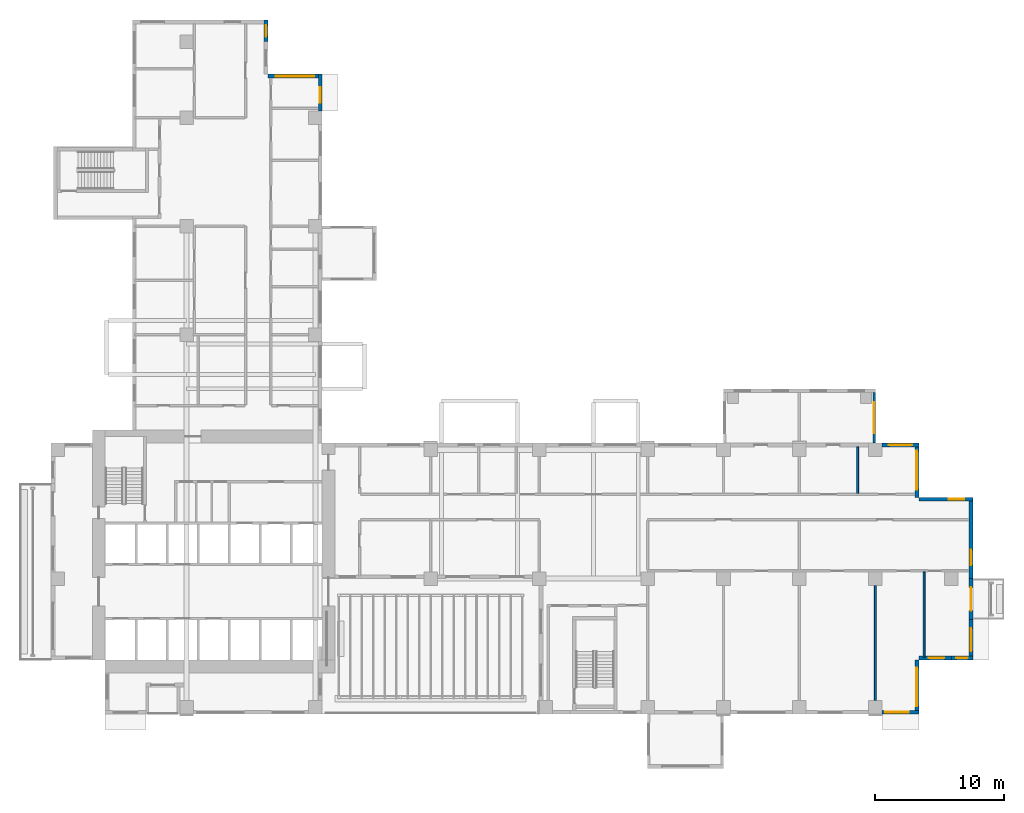
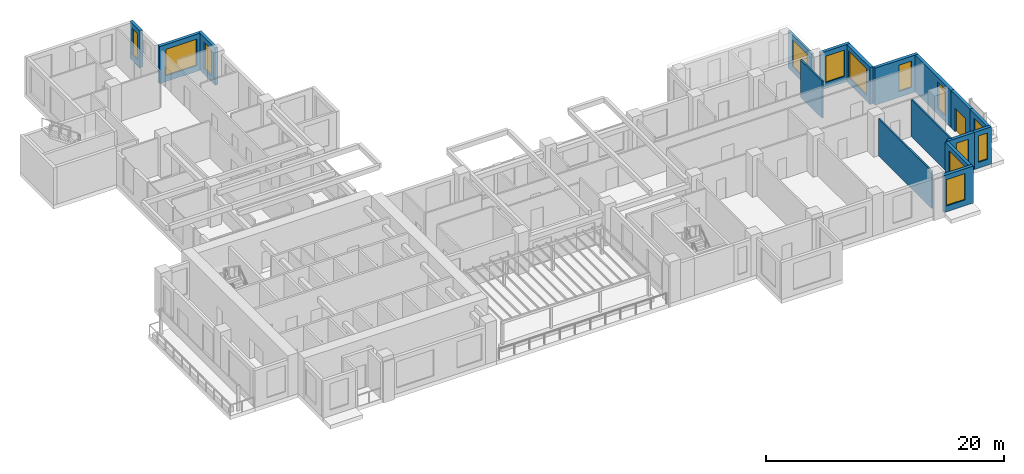
# One storey, part 9 of 15: 17 walls, 13 windows, 1 door, 14 openings.
"""IFC4 building model written with IfcOpenShell, lengths in metres."""

from ifc_helpers import new_model, si_unit, direction, frame, frame_2d, origin, place, context, subcontext, project, spatial, rectangle, extrude, source, transform, mapped, material, layer, layer_set, type_object, element, fill, save


model = new_model("IFC4")

# Units and contexts
model_context = context("Model", 3, precision=1e-05, world=origin(), true_north=direction((0.0, 1.0)))
body_context = subcontext(model_context, "Body", "Model", "MODEL_VIEW")
ifc_project = project(units=[si_unit("LENGTHUNIT", "METRE"), si_unit("AREAUNIT", "SQUARE_METRE"), si_unit("VOLUMEUNIT", "CUBIC_METRE"), si_unit("PLANEANGLEUNIT", "RADIAN"), si_unit("MASSUNIT", "GRAM", prefix="KILO")], contexts=[model_context])

# Site, building, storey
site_placement = place(None, origin())
site = spatial("IfcSite", under=ifc_project, at=site_placement, CompositionType="ELEMENT")
building_placement = place(site_placement, origin())
building = spatial("IfcBuilding", under=site, at=building_placement, Name="Aurelian Terraces", CompositionType="ELEMENT")
storey_placement = place(building_placement, frame((0.0, 0.0, 145.5)))
storey = spatial("IfcBuildingStorey", under=building, at=storey_placement, Name="L32", CompositionType="ELEMENT", Elevation=145.5)

# Wall, opening, window
ifc_material_1 = material(Name="Terracotta rainscreen cladding", Category="masonry")
ifc_layer_1 = layer(ifc_material_1, 0.3)
ifc_layer_set_1 = layer_set([ifc_layer_1], Name="EW-300")
wall_type_1 = type_object("IfcWallType", Name="EW-300", PredefinedType="STANDARD", material=ifc_layer_set_1)
shared_shape_1 = source(origin(), body_context, "Body", "SweptSolid", [
    extrude(rectangle(XDim=3.15, YDim=0.3, at=frame_2d((1.575, 0.0))), origin(), (0.0, 0.0, 1.0), 3.8),
])
wall_1_placement = place(storey_placement, frame((71.25, 4.2, 0.0), z_axis=(0.0, 0.0, 1.0), x_axis=(0.0, 1.0, 0.0)))
wall_1 = element("IfcWall", 1, at=wall_1_placement, inside=storey, type_object=wall_type_1, Name="External wall L32 F08.17", PredefinedType="STANDARD", context=body_context, shape_type="MappedRepresentation", body=[
    mapped(shared_shape_1, transform((0.0, 0.0, 0.0), scale=1.0)),
])
shared_shape_2 = source(origin(), body_context, "Body", "SweptSolid", [
    extrude(rectangle(XDim=1.8, YDim=2.7, at=frame_2d((0.9, 1.35))), frame((0.0, 0.16, 0.0), z_axis=(0.0, -1.0, 0.0), x_axis=(1.0, 0.0, 0.0)), (0.0, 0.0, 1.0), 0.32),
])
opening_1_placement = place(wall_1_placement, frame((0.675, 0.0, 0.6)))
opening_1 = element("IfcOpeningElement", 2, at=opening_1_placement, cuts=wall_1, Name="Opening W1827", PredefinedType="OPENING", context=body_context, shape_type="MappedRepresentation", body=[
    mapped(shared_shape_2, transform((0.0, 0.0, 0.0), scale=1.0)),
])
ifc_material_2 = material(Name="Clear glazing", Category="glass")
window_type_1 = type_object("IfcWindowType", Name="W-1800x2700", PartitioningType="SINGLE_PANEL", PredefinedType="WINDOW", material=ifc_material_2)
shared_shape_3 = source(origin(), body_context, "Body", "SweptSolid", [
    extrude(rectangle(XDim=1.8, YDim=2.7, at=frame_2d((0.9, 1.35))), frame((0.0, 0.03, 0.0), z_axis=(0.0, -1.0, 0.0), x_axis=(1.0, 0.0, 0.0)), (0.0, 0.0, 1.0), 0.06),
])
window_1_placement = place(opening_1_placement, origin())
window_1 = element("IfcWindow", 3, at=window_1_placement, inside=storey, type_object=window_type_1, Name="Window L32 L32-F08-17-0", OverallHeight=2.7, OverallWidth=1.8, PartitioningType="SINGLE_PANEL", PredefinedType="WINDOW", context=body_context, shape_type="MappedRepresentation", body=[
    mapped(shared_shape_3, transform((0.0, 0.0, 0.0), scale=1.0)),
])
fill(opening_1, window_1)

# Wall, opening, door
wall_2_placement = place(storey_placement, frame((71.25, 7.35, 0.0), z_axis=(0.0, 0.0, 1.0), x_axis=(0.0, 1.0, 0.0)))
wall_2 = element("IfcWall", 4, at=wall_2_placement, inside=storey, type_object=wall_type_1, Name="External wall L32 F08.18", PredefinedType="STANDARD", context=body_context, shape_type="MappedRepresentation", body=[
    mapped(shared_shape_1, transform((0.0, 0.0, 0.0), scale=1.0)),
])
shared_shape_4 = source(origin(), body_context, "Body", "SweptSolid", [
    extrude(rectangle(XDim=1.8, YDim=2.4, at=frame_2d((0.9, 1.2))), frame((0.0, 0.16, 0.0), z_axis=(0.0, -1.0, 0.0), x_axis=(1.0, 0.0, 0.0)), (0.0, 0.0, 1.0), 0.32),
])
opening_2_placement = place(wall_2_placement, frame((0.675, 0.0, 0.0)))
opening_2 = element("IfcOpeningElement", 5, at=opening_2_placement, cuts=wall_2, Name="Opening 83205", PredefinedType="OPENING", context=body_context, shape_type="MappedRepresentation", body=[
    mapped(shared_shape_4, transform((0.0, 0.0, 0.0), scale=1.0)),
])
door_type = type_object("IfcDoorType", Name="BD-1800x2400", OperationType="SLIDING_TO_LEFT", PredefinedType="DOOR", material=ifc_material_2)
shared_shape_5 = source(origin(), body_context, "Body", "SweptSolid", [
    extrude(rectangle(XDim=1.8, YDim=2.4, at=frame_2d((0.9, 1.2))), frame((0.0, 0.025, 0.0), z_axis=(0.0, -1.0, 0.0), x_axis=(1.0, 0.0, 0.0)), (0.0, 0.0, 1.0), 0.05),
])
door_placement = place(opening_2_placement, origin())
door = element("IfcDoor", 6, at=door_placement, inside=storey, type_object=door_type, Name="Balcony door L32 F08.18", OperationType="SLIDING_TO_LEFT", OverallHeight=2.4, OverallWidth=1.8, PredefinedType="DOOR", context=body_context, shape_type="MappedRepresentation", body=[
    mapped(shared_shape_5, transform((0.0, 0.0, 0.0), scale=1.0)),
])
fill(opening_2, door)

# Wall, opening, window
shared_shape_6 = source(origin(), body_context, "Body", "SweptSolid", [
    extrude(rectangle(XDim=4.2, YDim=0.3, at=frame_2d((2.1, 0.0))), origin(), (0.0, 0.0, 1.0), 3.8),
])
wall_3_placement = place(storey_placement, frame((67.05, 0.0, 0.0), z_axis=(0.0, 0.0, 1.0), x_axis=(0.0, 1.0, 0.0)))
wall_3 = element("IfcWall", 7, at=wall_3_placement, inside=storey, type_object=wall_type_1, Name="External wall L32 F06.14", PredefinedType="STANDARD", context=body_context, shape_type="MappedRepresentation", body=[
    mapped(shared_shape_6, transform((0.0, 0.0, 0.0), scale=1.0)),
])
shared_shape_7 = source(origin(), body_context, "Body", "SweptSolid", [
    extrude(rectangle(XDim=3.0, YDim=2.7, at=frame_2d((1.5, 1.35))), frame((0.0, 0.16, 0.0), z_axis=(0.0, -1.0, 0.0), x_axis=(1.0, 0.0, 0.0)), (0.0, 0.0, 1.0), 0.32),
])
opening_3_placement = place(wall_3_placement, frame((0.6, 0.0, 0.6)))
opening_3 = element("IfcOpeningElement", 8, at=opening_3_placement, cuts=wall_3, Name="Opening W3027", PredefinedType="OPENING", context=body_context, shape_type="MappedRepresentation", body=[
    mapped(shared_shape_7, transform((0.0, 0.0, 0.0), scale=1.0)),
])
window_type_2 = type_object("IfcWindowType", Name="W-3000x2700", PartitioningType="SINGLE_PANEL", PredefinedType="WINDOW", material=ifc_material_2)
shared_shape_8 = source(origin(), body_context, "Body", "SweptSolid", [
    extrude(rectangle(XDim=3.0, YDim=2.7, at=frame_2d((1.5, 1.35))), frame((0.0, 0.03, 0.0), z_axis=(0.0, -1.0, 0.0), x_axis=(1.0, 0.0, 0.0)), (0.0, 0.0, 1.0), 0.06),
])
window_2_placement = place(opening_3_placement, origin())
window_2 = element("IfcWindow", 9, at=window_2_placement, inside=storey, type_object=window_type_2, Name="Window L32 L32-F06-14-0", OverallHeight=2.7, OverallWidth=3.0, PartitioningType="SINGLE_PANEL", PredefinedType="WINDOW", context=body_context, shape_type="MappedRepresentation", body=[
    mapped(shared_shape_8, transform((0.0, 0.0, 0.0), scale=1.0)),
])
fill(opening_3, window_2)

wall_4_placement = place(storey_placement, frame((71.4, 16.65, 0.0), z_axis=(0.0, 0.0, 1.0), x_axis=(-1.0, 0.0, 0.0)))
wall_4 = element("IfcWall", 10, at=wall_4_placement, inside=storey, type_object=wall_type_1, Name="External wall L32 F09.20", PredefinedType="STANDARD", context=body_context, shape_type="MappedRepresentation", body=[
    mapped(shared_shape_6, transform((0.0, 0.0, 0.0), scale=1.0)),
])
shared_shape_9 = source(origin(), body_context, "Body", "SweptSolid", [
    extrude(rectangle(XDim=1.2, YDim=2.7, at=frame_2d((0.6, 1.35))), frame((0.0, 0.16, 0.0), z_axis=(0.0, -1.0, 0.0), x_axis=(1.0, 0.0, 0.0)), (0.0, 0.0, 1.0), 0.32),
])
opening_4_placement = place(wall_4_placement, frame((0.66, 0.0, 0.6)))
opening_4 = element("IfcOpeningElement", 11, at=opening_4_placement, cuts=wall_4, Name="Opening W1227", PredefinedType="OPENING", context=body_context, shape_type="MappedRepresentation", body=[
    mapped(shared_shape_9, transform((0.0, 0.0, 0.0), scale=1.0)),
])
window_type_3 = type_object("IfcWindowType", Name="W-1200x2700", PartitioningType="SINGLE_PANEL", PredefinedType="WINDOW", material=ifc_material_2)
shared_shape_10 = source(origin(), body_context, "Body", "SweptSolid", [
    extrude(rectangle(XDim=1.2, YDim=2.7, at=frame_2d((0.6, 1.35))), frame((0.0, 0.03, 0.0), z_axis=(0.0, -1.0, 0.0), x_axis=(1.0, 0.0, 0.0)), (0.0, 0.0, 1.0), 0.06),
])
window_3_placement = place(opening_4_placement, origin())
window_3 = element("IfcWindow", 12, at=window_3_placement, inside=storey, type_object=window_type_3, Name="Window L32 L32-F09-20-0", OverallHeight=2.7, OverallWidth=1.2, PartitioningType="SINGLE_PANEL", PredefinedType="WINDOW", context=body_context, shape_type="MappedRepresentation", body=[
    mapped(shared_shape_10, transform((0.0, 0.0, 0.0), scale=1.0)),
])
fill(opening_4, window_3)

wall_5_placement = place(storey_placement, frame((67.05, 16.8, 0.0), z_axis=(0.0, 0.0, 1.0), x_axis=(0.0, 1.0, 0.0)))
wall_5 = element("IfcWall", 13, at=wall_5_placement, inside=storey, type_object=wall_type_1, Name="External wall L32 F10.21", PredefinedType="STANDARD", context=body_context, shape_type="MappedRepresentation", body=[
    mapped(shared_shape_6, transform((0.0, 0.0, 0.0), scale=1.0)),
])
opening_5_placement = place(wall_5_placement, frame((0.6, 0.0, 0.6)))
opening_5 = element("IfcOpeningElement", 14, at=opening_5_placement, cuts=wall_5, Name="Opening W3027", PredefinedType="OPENING", context=body_context, shape_type="MappedRepresentation", body=[
    mapped(shared_shape_7, transform((0.0, 0.0, 0.0), scale=1.0)),
])
window_4_placement = place(opening_5_placement, origin())
window_4 = element("IfcWindow", 15, at=window_4_placement, inside=storey, type_object=window_type_2, Name="Window L32 L32-F10-21-0", OverallHeight=2.7, OverallWidth=3.0, PartitioningType="SINGLE_PANEL", PredefinedType="WINDOW", context=body_context, shape_type="MappedRepresentation", body=[
    mapped(shared_shape_8, transform((0.0, 0.0, 0.0), scale=1.0)),
])
fill(opening_5, window_4)

wall_6_placement = place(storey_placement, frame((21.0, 49.41, 0.0), z_axis=(0.0, 0.0, 1.0), x_axis=(-1.0, 0.0, 0.0)))
wall_6 = element("IfcWall", 16, at=wall_6_placement, inside=storey, type_object=wall_type_1, Name="External wall L32 F13.28", PredefinedType="STANDARD", context=body_context, shape_type="MappedRepresentation", body=[
    mapped(shared_shape_6, transform((0.0, 0.0, 0.0), scale=1.0)),
])
opening_6_placement = place(wall_6_placement, frame((0.6, 0.0, 0.6)))
opening_6 = element("IfcOpeningElement", 17, at=opening_6_placement, cuts=wall_6, Name="Opening W3027", PredefinedType="OPENING", context=body_context, shape_type="MappedRepresentation", body=[
    mapped(shared_shape_7, transform((0.0, 0.0, 0.0), scale=1.0)),
])
window_5_placement = place(opening_6_placement, origin())
window_5 = element("IfcWindow", 18, at=window_5_placement, inside=storey, type_object=window_type_2, Name="Window L32 L32-F13-28-0", OverallHeight=2.7, OverallWidth=3.0, PartitioningType="SINGLE_PANEL", PredefinedType="WINDOW", context=body_context, shape_type="MappedRepresentation", body=[
    mapped(shared_shape_8, transform((0.0, 0.0, 0.0), scale=1.0)),
])
fill(opening_6, window_5)

shared_shape_11 = source(origin(), body_context, "Body", "SweptSolid", [
    extrude(rectangle(XDim=2.52, YDim=0.3, at=frame_2d((1.26, 0.0))), origin(), (0.0, 0.0, 1.0), 3.8),
])
wall_7_placement = place(storey_placement, frame((67.2, 4.35, 0.0), z_axis=(0.0, 0.0, 1.0), x_axis=(1.0, 0.0, 0.0)))
wall_7 = element("IfcWall", 19, at=wall_7_placement, inside=storey, type_object=wall_type_1, Name="External wall L32 F07.15", PredefinedType="STANDARD", context=body_context, shape_type="MappedRepresentation", body=[
    mapped(shared_shape_11, transform((0.0, 0.0, 0.0), scale=1.0)),
])
opening_7_placement = place(wall_7_placement, frame((0.7775, 0.0, 0.6)))
opening_7 = element("IfcOpeningElement", 20, at=opening_7_placement, cuts=wall_7, Name="Opening W1227", PredefinedType="OPENING", context=body_context, shape_type="MappedRepresentation", body=[
    mapped(shared_shape_9, transform((0.0, 0.0, 0.0), scale=1.0)),
])
window_6_placement = place(opening_7_placement, origin())
window_6 = element("IfcWindow", 21, at=window_6_placement, inside=storey, type_object=window_type_3, Name="Window L32 L32-F07-15-P0", OverallHeight=2.7, OverallWidth=1.2, PartitioningType="SINGLE_PANEL", PredefinedType="WINDOW", context=body_context, shape_type="MappedRepresentation", body=[
    mapped(shared_shape_10, transform((0.0, 0.0, 0.0), scale=1.0)),
])
fill(opening_7, window_6)

shared_shape_12 = source(origin(), body_context, "Body", "SweptSolid", [
    extrude(rectangle(XDim=1.68, YDim=0.3, at=frame_2d((0.84, 0.0))), origin(), (0.0, 0.0, 1.0), 3.8),
])
wall_8_placement = place(storey_placement, frame((69.72, 4.35, 0.0), z_axis=(0.0, 0.0, 1.0), x_axis=(1.0, 0.0, 0.0)))
wall_8 = element("IfcWall", 22, at=wall_8_placement, inside=storey, type_object=wall_type_1, Name="External wall L32 F07.16", PredefinedType="STANDARD", context=body_context, shape_type="MappedRepresentation", body=[
    mapped(shared_shape_12, transform((0.0, 0.0, 0.0), scale=1.0)),
])
shared_shape_13 = source(origin(), body_context, "Body", "SweptSolid", [
    extrude(rectangle(XDim=0.9, YDim=2.7, at=frame_2d((0.45, 1.35))), frame((0.0, 0.16, 0.0), z_axis=(0.0, -1.0, 0.0), x_axis=(1.0, 0.0, 0.0)), (0.0, 0.0, 1.0), 0.32),
])
opening_8_placement = place(wall_8_placement, frame((0.39, 0.0, 0.6)))
opening_8 = element("IfcOpeningElement", 23, at=opening_8_placement, cuts=wall_8, Name="Opening W0927", PredefinedType="OPENING", context=body_context, shape_type="MappedRepresentation", body=[
    mapped(shared_shape_13, transform((0.0, 0.0, 0.0), scale=1.0)),
])
window_type_4 = type_object("IfcWindowType", Name="W-900x2700", PartitioningType="SINGLE_PANEL", PredefinedType="WINDOW", material=ifc_material_2)
shared_shape_14 = source(origin(), body_context, "Body", "SweptSolid", [
    extrude(rectangle(XDim=0.9, YDim=2.7, at=frame_2d((0.45, 1.35))), frame((0.0, 0.03, 0.0), z_axis=(0.0, -1.0, 0.0), x_axis=(1.0, 0.0, 0.0)), (0.0, 0.0, 1.0), 0.06),
])
window_7_placement = place(opening_8_placement, origin())
window_7 = element("IfcWindow", 24, at=window_7_placement, inside=storey, type_object=window_type_4, Name="Window L32 L32-F07-16-P0", OverallHeight=2.7, OverallWidth=0.9, PartitioningType="SINGLE_PANEL", PredefinedType="WINDOW", context=body_context, shape_type="MappedRepresentation", body=[
    mapped(shared_shape_14, transform((0.0, 0.0, 0.0), scale=1.0)),
])
fill(opening_8, window_7)

wall_9_placement = place(storey_placement, frame((16.65, 52.08, 0.0), z_axis=(0.0, 0.0, 1.0), x_axis=(0.0, 1.0, 0.0)))
wall_9 = element("IfcWall", 25, at=wall_9_placement, inside=storey, type_object=wall_type_1, Name="External wall L32 F14.30", PredefinedType="STANDARD", context=body_context, shape_type="MappedRepresentation", body=[
    mapped(shared_shape_12, transform((0.0, 0.0, 0.0), scale=1.0)),
])
opening_9_placement = place(wall_9_placement, frame((0.39, 0.0, 0.6)))
opening_9 = element("IfcOpeningElement", 26, at=opening_9_placement, cuts=wall_9, Name="Opening W0927", PredefinedType="OPENING", context=body_context, shape_type="MappedRepresentation", body=[
    mapped(shared_shape_13, transform((0.0, 0.0, 0.0), scale=1.0)),
])
window_8_placement = place(opening_9_placement, origin())
window_8 = element("IfcWindow", 27, at=window_8_placement, inside=storey, type_object=window_type_4, Name="Window L32 L32-F14-30-P0", OverallHeight=2.7, OverallWidth=0.9, PartitioningType="SINGLE_PANEL", PredefinedType="WINDOW", context=body_context, shape_type="MappedRepresentation", body=[
    mapped(shared_shape_14, transform((0.0, 0.0, 0.0), scale=1.0)),
])
fill(opening_9, window_8)

shared_shape_15 = source(origin(), body_context, "Body", "SweptSolid", [
    extrude(rectangle(XDim=6.3, YDim=0.3, at=frame_2d((3.15, 0.0))), origin(), (0.0, 0.0, 1.0), 3.8),
])
wall_10_placement = place(storey_placement, frame((71.25, 10.5, 0.0), z_axis=(0.0, 0.0, 1.0), x_axis=(0.0, 1.0, 0.0)))
wall_10 = element("IfcWall", 28, at=wall_10_placement, inside=storey, type_object=wall_type_1, Name="External wall L32 F08.19", PredefinedType="STANDARD", context=body_context, shape_type="MappedRepresentation", body=[
    mapped(shared_shape_15, transform((0.0, 0.0, 0.0), scale=1.0)),
])
opening_10_placement = place(wall_10_placement, frame((1.025, 0.0, 0.6)))
opening_10 = element("IfcOpeningElement", 29, at=opening_10_placement, cuts=wall_10, Name="Opening W1227", PredefinedType="OPENING", context=body_context, shape_type="MappedRepresentation", body=[
    mapped(shared_shape_9, transform((0.0, 0.0, 0.0), scale=1.0)),
])
window_9_placement = place(opening_10_placement, origin())
window_9 = element("IfcWindow", 30, at=window_9_placement, inside=storey, type_object=window_type_3, Name="Window L32 L32-F08-19-0", OverallHeight=2.7, OverallWidth=1.2, PartitioningType="SINGLE_PANEL", PredefinedType="WINDOW", context=body_context, shape_type="MappedRepresentation", body=[
    mapped(shared_shape_10, transform((0.0, 0.0, 0.0), scale=1.0)),
])
fill(opening_10, window_9)

ifc_material_3 = material(Name="Concrete fc' 40 MPa", Category="concrete")
ifc_layer_2 = layer(ifc_material_3, 0.2)
ifc_layer_set_2 = layer_set([ifc_layer_2], Name="BOX BEARING WALL 200")
wall_type_2 = type_object("IfcWallType", Name="BOX BEARING WALL 200", PredefinedType="SOLIDWALL", material=ifc_layer_set_2)
shared_shape_16 = source(origin(), body_context, "Body", "SweptSolid", [
    extrude(rectangle(XDim=3.9, YDim=0.2, at=frame_2d((1.95, 0.0))), origin(), (0.0, 0.0, 1.0), 3.8),
])
wall_11_placement = place(storey_placement, frame((63.74, 21.0, 0.0), z_axis=(0.0, 0.0, 1.0), x_axis=(0.0, 1.0, 0.0)))
wall_11 = element("IfcWall", 31, at=wall_11_placement, inside=storey, type_object=wall_type_2, Name="Box return L32 K02.1", PredefinedType="SOLIDWALL", context=body_context, shape_type="MappedRepresentation", body=[
    mapped(shared_shape_16, transform((0.0, 0.0, 0.0), scale=1.0)),
])
shared_shape_17 = source(origin(), body_context, "Body", "SweptSolid", [
    extrude(rectangle(XDim=2.4, YDim=2.7, at=frame_2d((1.2, 1.35))), frame((0.0, 0.11, 0.0), z_axis=(0.0, -1.0, 0.0), x_axis=(1.0, 0.0, 0.0)), (0.0, 0.0, 1.0), 0.22),
])
opening_11_placement = place(wall_11_placement, frame((0.75, 0.0, 0.6)))
opening_11 = element("IfcOpeningElement", 32, at=opening_11_placement, cuts=wall_11, Name="Opening W2427", PredefinedType="OPENING", context=body_context, shape_type="MappedRepresentation", body=[
    mapped(shared_shape_17, transform((0.0, 0.0, 0.0), scale=1.0)),
])
window_type_5 = type_object("IfcWindowType", Name="W-2400x2700", PartitioningType="SINGLE_PANEL", PredefinedType="WINDOW", material=ifc_material_2)
shared_shape_18 = source(origin(), body_context, "Body", "SweptSolid", [
    extrude(rectangle(XDim=2.4, YDim=2.7, at=frame_2d((1.2, 1.35))), frame((0.0, 0.03, 0.0), z_axis=(0.0, -1.0, 0.0), x_axis=(1.0, 0.0, 0.0)), (0.0, 0.0, 1.0), 0.06),
])
window_10_placement = place(opening_11_placement, origin())
window_10 = element("IfcWindow", 33, at=window_10_placement, inside=storey, type_object=window_type_5, Name="Window L32 K02-S1", OverallHeight=2.7, OverallWidth=2.4, PartitioningType="SINGLE_PANEL", PredefinedType="WINDOW", context=body_context, shape_type="MappedRepresentation", body=[
    mapped(shared_shape_18, transform((0.0, 0.0, 0.0), scale=1.0)),
])
fill(opening_11, window_10)

shared_shape_19 = source(origin(), body_context, "Body", "SweptSolid", [
    extrude(rectangle(XDim=2.835, YDim=0.3, at=frame_2d((1.4175, 0.0))), origin(), (0.0, 0.0, 1.0), 3.8),
])
wall_12_placement = place(storey_placement, frame((64.365, 0.15, 0.0), z_axis=(0.0, 0.0, 1.0), x_axis=(1.0, 0.0, 0.0)))
wall_12 = element("IfcWall", 34, at=wall_12_placement, inside=storey, type_object=wall_type_1, Name="External wall L32 F05.13", PredefinedType="STANDARD", context=body_context, shape_type="MappedRepresentation", body=[
    mapped(shared_shape_19, transform((0.0, 0.0, 0.0), scale=1.0)),
])
opening_12_placement = place(wall_12_placement, frame((0.255, 0.0, 0.6)))
opening_12 = element("IfcOpeningElement", 35, at=opening_12_placement, cuts=wall_12, Name="Opening W1827", PredefinedType="OPENING", context=body_context, shape_type="MappedRepresentation", body=[
    mapped(shared_shape_2, transform((0.0, 0.0, 0.0), scale=1.0)),
])
window_11_placement = place(opening_12_placement, origin())
window_11 = element("IfcWindow", 36, at=window_11_placement, inside=storey, type_object=window_type_1, Name="Window L32 L32-F05-13-0", OverallHeight=2.7, OverallWidth=1.8, PartitioningType="SINGLE_PANEL", PredefinedType="WINDOW", context=body_context, shape_type="MappedRepresentation", body=[
    mapped(shared_shape_3, transform((0.0, 0.0, 0.0), scale=1.0)),
])
fill(opening_12, window_11)

wall_13_placement = place(storey_placement, frame((67.2, 20.85, 0.0), z_axis=(0.0, 0.0, 1.0), x_axis=(-1.0, 0.0, 0.0)))
wall_13 = element("IfcWall", 37, at=wall_13_placement, inside=storey, type_object=wall_type_1, Name="External wall L32 F11.22", PredefinedType="STANDARD", context=body_context, shape_type="MappedRepresentation", body=[
    mapped(shared_shape_19, transform((0.0, 0.0, 0.0), scale=1.0)),
])
opening_13_placement = place(wall_13_placement, frame((0.5175, 0.0, 0.6)))
opening_13 = element("IfcOpeningElement", 38, at=opening_13_placement, cuts=wall_13, Name="Opening W1827", PredefinedType="OPENING", context=body_context, shape_type="MappedRepresentation", body=[
    mapped(shared_shape_2, transform((0.0, 0.0, 0.0), scale=1.0)),
])
window_12_placement = place(opening_13_placement, origin())
window_12 = element("IfcWindow", 39, at=window_12_placement, inside=storey, type_object=window_type_1, Name="Window L32 L32-F11-22-P0", OverallHeight=2.7, OverallWidth=1.8, PartitioningType="SINGLE_PANEL", PredefinedType="WINDOW", context=body_context, shape_type="MappedRepresentation", body=[
    mapped(shared_shape_3, transform((0.0, 0.0, 0.0), scale=1.0)),
])
fill(opening_13, window_12)

wall_14_placement = place(storey_placement, frame((20.85, 46.725, 0.0), z_axis=(0.0, 0.0, 1.0), x_axis=(0.0, 1.0, 0.0)))
wall_14 = element("IfcWall", 40, at=wall_14_placement, inside=storey, type_object=wall_type_1, Name="External wall L32 F12.27", PredefinedType="STANDARD", context=body_context, shape_type="MappedRepresentation", body=[
    mapped(shared_shape_19, transform((0.0, 0.0, 0.0), scale=1.0)),
])
opening_14_placement = place(wall_14_placement, frame((0.609, 0.0, 0.6)))
opening_14 = element("IfcOpeningElement", 41, at=opening_14_placement, cuts=wall_14, Name="Opening W1227", PredefinedType="OPENING", context=body_context, shape_type="MappedRepresentation", body=[
    mapped(shared_shape_9, transform((0.0, 0.0, 0.0), scale=1.0)),
])
window_13_placement = place(opening_14_placement, origin())
window_13 = element("IfcWindow", 42, at=window_13_placement, inside=storey, type_object=window_type_3, Name="Window L32 L32-F12-27-0", OverallHeight=2.7, OverallWidth=1.2, PartitioningType="SINGLE_PANEL", PredefinedType="WINDOW", context=body_context, shape_type="MappedRepresentation", body=[
    mapped(shared_shape_10, transform((0.0, 0.0, 0.0), scale=1.0)),
])
fill(opening_14, window_13)

# Walls
ifc_material_4 = material(Name="Gypsum board on steel studs", Category="steel")
ifc_layer_3 = layer(ifc_material_4, 0.15)
ifc_layer_set_3 = layer_set([ifc_layer_3], Name="Partition 150")
wall_type_3 = type_object("IfcWallType", Name="Partition 150", PredefinedType="PARTITIONING", material=ifc_layer_set_3)
shared_shape_20 = source(origin(), body_context, "Body", "SweptSolid", [
    extrude(rectangle(XDim=3.6, YDim=0.15, at=frame_2d((1.8, 0.0))), origin(), (0.0, 0.0, 1.0), 3.8),
])
wall_15_placement = place(storey_placement, frame((62.4675, 20.7, 0.0), z_axis=(0.0, 0.0, 1.0), x_axis=(0.0, -1.0, 0.0)))
element("IfcWall", 43, at=wall_15_placement, inside=storey, type_object=wall_type_3, Name="Partition", PredefinedType="PARTITIONING", context=body_context, shape_type="MappedRepresentation", body=[
    mapped(shared_shape_20, transform((0.0, 0.0, 0.0), scale=1.0)),
])
shared_shape_21 = source(origin(), body_context, "Body", "SweptSolid", [
    extrude(rectangle(XDim=8.927, YDim=0.15, at=frame_2d((4.4635, 0.0))), origin(), (0.0, 0.0, 1.0), 3.8),
])
wall_16_placement = place(storey_placement, frame((63.84, 1.049, 0.0), z_axis=(0.0, 0.0, 1.0), x_axis=(0.0, 1.0, 0.0)))
element("IfcWall", 44, at=wall_16_placement, inside=storey, type_object=wall_type_3, Name="Partition", PredefinedType="PARTITIONING", context=body_context, shape_type="MappedRepresentation", body=[
    mapped(shared_shape_21, transform((0.0, 0.0, 0.0), scale=1.0)),
])
shared_shape_22 = source(origin(), body_context, "Body", "SweptSolid", [
    extrude(rectangle(XDim=6.62, YDim=0.15, at=frame_2d((3.31, 0.0))), origin(), (0.0, 0.0, 1.0), 3.8),
])
wall_17_placement = place(storey_placement, frame((67.62, 4.405, 0.0), z_axis=(0.0, 0.0, 1.0), x_axis=(0.0, 1.0, 0.0)))
element("IfcWall", 45, at=wall_17_placement, inside=storey, type_object=wall_type_3, Name="Partition", PredefinedType="PARTITIONING", context=body_context, shape_type="MappedRepresentation", body=[
    mapped(shared_shape_22, transform((0.0, 0.0, 0.0), scale=1.0)),
])

save(model, "model.ifc")
